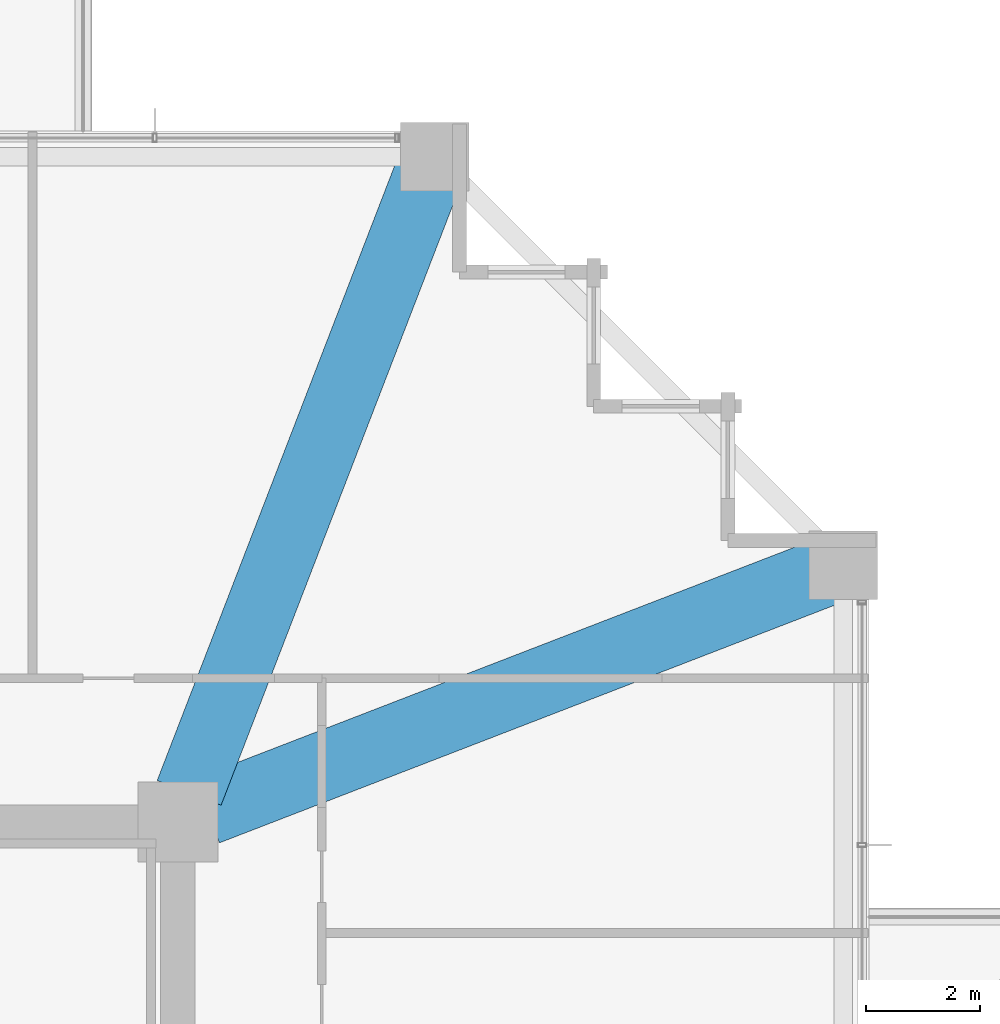
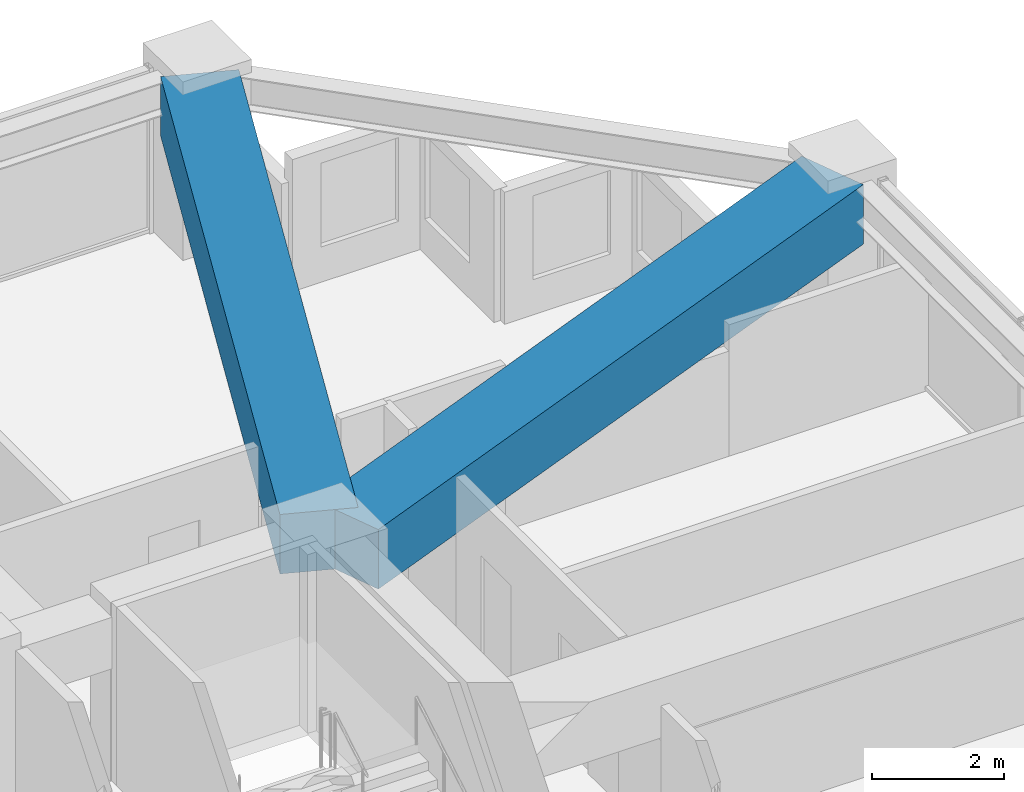
# One storey, part 24 of 39: 2 beams.
"""IFC4 building model written with IfcOpenShell, lengths in metres."""

import ifcopenshell
import ifcopenshell.guid

model = None  # the IFC model being written
_history = None  # IfcOwnerHistory: only IFC2X3 demands one
_inside = {}  # id of a spatial element -> (the spatial element, [elements in it])
_under = {}  # id of a project, library or spatial element -> (it, [spatial elements below it])
_declared = {}  # id of a project -> (the project, [libraries it declares])
_typed = {}  # id of a type object -> (the type object, [elements of that type])
_made_of = {}  # id of a material, layer set ... -> (it, [elements and type objects made of it])


def new_model(schema):
    """Start an empty IFC model of exactly this schema.

    Asked for "IFC4X3", IfcOpenShell would pick the latest addendum, in which some entities
    have other attributes; the version numbers below select the first issue.
    IFC2X3 requires an IfcOwnerHistory on every rooted entity: one is made here for all.
    """
    global model, _history
    if schema == "IFC4X3":
        model = ifcopenshell.file(schema_version=(4, 3, 0, 0))
    else:
        model = ifcopenshell.file(schema=schema)
    _inside.clear()
    _under.clear()
    _declared.clear()
    _typed.clear()
    _made_of.clear()
    _history = None
    if model.schema == "IFC2X3":
        org = make("IfcOrganization", Name="unknown")
        user = make(
            "IfcPersonAndOrganization",
            ThePerson=make("IfcPerson", FamilyName="unknown"),
            TheOrganization=org,
        )
        app = make(
            "IfcApplication",
            ApplicationDeveloper=org,
            Version="unknown",
            ApplicationFullName="unknown",
            ApplicationIdentifier="unknown",
        )
        _history = make(
            "IfcOwnerHistory",
            OwningUser=user,
            OwningApplication=app,
            ChangeAction="ADDED",
            CreationDate=0,
        )
    return model


def make(cls, **values):
    """One entity of the class cls with the attributes given. An attribute that is None is left unset."""
    return model.create_entity(
        cls, **{name: value for name, value in values.items() if value is not None}
    )


def rooted(cls, **values):
    """An entity with a GlobalId (a new one), such as an element, a storey or a relation."""
    return make(cls, GlobalId=ifcopenshell.guid.new(), OwnerHistory=_history, **values)


def si_unit(unit_type, name, prefix=None):
    """IfcSIUnit, for example si_unit("LENGTHUNIT", "METRE", prefix="MILLI")."""
    return make("IfcSIUnit", UnitType=unit_type, Prefix=prefix, Name=name)


def assignment(units):
    """IfcUnitAssignment: the units of a project."""
    return None if units is None else make("IfcUnitAssignment", Units=units)


def point(xyz):
    """IfcCartesianPoint."""
    return None if xyz is None else make("IfcCartesianPoint", Coordinates=xyz)


def direction(xyz):
    """IfcDirection."""
    return None if xyz is None else make("IfcDirection", DirectionRatios=xyz)


def frame(location, z_axis=None, x_axis=None):
    """IfcAxis2Placement3D, a coordinate frame: its origin and axes. An axis left out is left unset."""
    return make(
        "IfcAxis2Placement3D",
        Location=point(location),
        Axis=direction(z_axis),
        RefDirection=direction(x_axis),
    )


def frame_2d(location, x_axis=None):
    """IfcAxis2Placement2D, a coordinate frame in the plane: its origin and x axis."""
    return make(
        "IfcAxis2Placement2D", Location=point(location), RefDirection=direction(x_axis)
    )


def origin():
    """The frame at (0, 0, 0) with its axes left unset."""
    return frame((0.0, 0.0, 0.0))


def origin_2d():
    """The frame at (0, 0) in the plane with its x axis left unset."""
    return frame_2d((0.0, 0.0))


def place(relative_to, where):
    """IfcLocalPlacement: puts the frame where relative to a parent placement (None: the world)."""
    return make(
        "IfcLocalPlacement", PlacementRelTo=relative_to, RelativePlacement=where
    )


def context(
    kind, dimensions, precision=None, world=None, true_north=None, identifier=None
):
    """IfcGeometricRepresentationContext, for example the 3D "Model" context."""
    return make(
        "IfcGeometricRepresentationContext",
        ContextIdentifier=identifier,
        ContextType=kind,
        CoordinateSpaceDimension=dimensions,
        Precision=precision,
        WorldCoordinateSystem=world,
        TrueNorth=true_north,
    )


def subcontext(parent, identifier, kind, view, scale=None):
    """IfcGeometricRepresentationSubContext, for example "Body" below "Model"."""
    return make(
        "IfcGeometricRepresentationSubContext",
        ContextIdentifier=identifier,
        ContextType=kind,
        ParentContext=parent,
        TargetScale=scale,
        TargetView=view,
    )


def project(units=None, contexts=None):
    """IfcProject with its units and contexts."""
    return rooted(
        "IfcProject",
        Name="project",
        RepresentationContexts=contexts,
        UnitsInContext=assignment(units),
    )


def spatial(cls, under=None, at=None, **own):
    """A site, building, storey or space (cls), placed at a placement, below another one or the project."""
    s = rooted(cls, ObjectPlacement=at, **own)
    if under is not None:
        _under.setdefault(under.id(), (under, []))[1].append(s)
    return s


def profile(cls, at=None, kind="AREA", **sizes):
    """A parametric profile (cls). Its sizes go by their IFC names, for example OverallWidth=200.0."""
    return make(cls, ProfileType=kind, Position=at, **sizes)


def rectangle(**sizes):
    """IfcRectangleProfileDef."""
    return profile("IfcRectangleProfileDef", **sizes)


def extrude(swept, where, along, depth):
    """IfcExtrudedAreaSolid: the profile swept, set in the frame where, extruded along a direction by depth."""
    return make(
        "IfcExtrudedAreaSolid",
        SweptArea=swept,
        Position=where,
        ExtrudedDirection=direction(along),
        Depth=depth,
    )


def shape(context_of_items, identifier, shape_type, items):
    """IfcShapeRepresentation: the items that make up one representation, for example the "Body"."""
    return make(
        "IfcShapeRepresentation",
        ContextOfItems=context_of_items,
        RepresentationIdentifier=identifier,
        RepresentationType=shape_type,
        Items=items,
    )


def material(Name=None, Category=None):
    """IfcMaterial."""
    return make("IfcMaterial", Name=Name, Category=Category)


def material_profile(
    of_material, cross_section, Name=None, Category=None, Priority=None
):
    """IfcMaterialProfile: a cross section and its material."""
    return make(
        "IfcMaterialProfile",
        Name=Name,
        Material=of_material,
        Profile=cross_section,
        Priority=Priority,
        Category=Category,
    )


def profile_set(profiles, Name=None, composite=None):
    """IfcMaterialProfileSet."""
    return make(
        "IfcMaterialProfileSet",
        Name=Name,
        MaterialProfiles=profiles,
        CompositeProfile=composite,
    )


def made_of(thing, what):
    """Note that an element or type object is made of a material, layer set ...; save() writes the relation."""
    if what is not None:
        _made_of.setdefault(what.id(), (what, []))[1].append(thing)
    return thing


def type_object(cls, material=None, **own):
    """A type object (cls), such as IfcWallType, which elements share."""
    return made_of(rooted(cls, **own), material)


def element(
    cls,
    number,
    at=None,
    inside=None,
    cuts=None,
    type_object=None,
    material=None,
    context=None,
    identifier="Body",
    shape_type=None,
    held_by="IfcProductDefinitionShape",
    body=None,
    shapes=None,
    **own,
):
    """One element of the class cls, such as IfcWall. Its Tag is "e" and its number.

    at: its placement. inside: the storey or other place that contains it. cuts: it is an
    opening in that element (IfcRelVoidsElement). A single representation is given by context,
    identifier, shape_type and body (its items); several are given by shapes. held_by: the class
    of the entity that holds the representations. save() writes the other relations.
    """
    e = rooted(cls, Tag="e%d" % number, ObjectPlacement=at, **own)
    if body is not None:
        shapes = [shape(context, identifier, shape_type, body)]
    if shapes is not None:
        e.Representation = make(held_by, Representations=shapes)
    if inside is not None:
        _inside.setdefault(inside.id(), (inside, []))[1].append(e)
    if cuts is not None:
        rooted(
            "IfcRelVoidsElement", RelatingBuildingElement=cuts, RelatedOpeningElement=e
        )
    if type_object is not None:
        _typed.setdefault(type_object.id(), (type_object, []))[1].append(e)
    return made_of(e, material)


def aggregate(whole, parts):
    """IfcRelAggregates: a whole, such as a stair, and the parts it consists of."""
    return rooted("IfcRelAggregates", RelatingObject=whole, RelatedObjects=parts)


def save(model, path):
    """Write the relations noted so far, then the file.

    IfcRelAggregates (storeys below a building ...), IfcRelContainedInSpatialStructure (elements
    in a storey), IfcRelDefinesByType, IfcRelAssociatesMaterial and IfcRelDeclares: one each for
    every whole, place, type object, material and project.
    """
    for whole, parts in _under.values():
        aggregate(whole, parts)
    for where, things in _inside.values():
        rooted(
            "IfcRelContainedInSpatialStructure",
            RelatedElements=things,
            RelatingStructure=where,
        )
    for kind, things in _typed.values():
        rooted("IfcRelDefinesByType", RelatedObjects=things, RelatingType=kind)
    for what, things in _made_of.values():
        rooted("IfcRelAssociatesMaterial", RelatedObjects=things, RelatingMaterial=what)
    for by, libraries in _declared.values():
        rooted("IfcRelDeclares", RelatingContext=by, RelatedDefinitions=libraries)
    model.write(path)


model = new_model("IFC4")

# Units and contexts
model_context = context("Model", 3, precision=1e-05, world=origin(), true_north=direction((0.0, 1.0)))
body_context = subcontext(model_context, "Body", "Model", "MODEL_VIEW")
ifc_project = project(units=[si_unit("LENGTHUNIT", "METRE"), si_unit("AREAUNIT", "SQUARE_METRE"), si_unit("VOLUMEUNIT", "CUBIC_METRE"), si_unit("PLANEANGLEUNIT", "RADIAN"), si_unit("MASSUNIT", "GRAM", prefix="KILO")], contexts=[model_context])

# Site, building, storey
site_placement = place(None, origin())
site = spatial("IfcSite", under=ifc_project, at=site_placement, CompositionType="ELEMENT")
building_placement = place(site_placement, origin())
building = spatial("IfcBuilding", under=site, at=building_placement, Name="Kolvaren Belvedere", CompositionType="ELEMENT")
storey_placement = place(building_placement, frame((0.0, 0.0, 33.699951171875)))
storey = spatial("IfcBuildingStorey", under=building, at=storey_placement, Name="L09", CompositionType="ELEMENT", Elevation=33.699951171875)

# Beams
ifc_material = material(Name="Concrete C50/60", Category="concrete")
ifc_material_profile = material_profile(ifc_material, rectangle(XDim=1.199951171875, YDim=1.10009765625, at=origin_2d()), Name="RC 1200X1100")
ifc_profile_set = profile_set([ifc_material_profile], Name="Concrete C50/60")
beam_type = type_object("IfcBeamType", Name="BM-TG-1100", PredefinedType="BEAM", material=ifc_profile_set)
for number, where, z_axis, x_axis, name in (
    (1, (10.09814453125, 10.4130859375, 2.510009765625), (0.360318391835, 0.932829382313, 0.0), (-0.932829382313, 0.360318391835, 0.0), "L09 Corner Core-to-Perimeter Girder CC3-N4"),
    (2, (10.4130859375, 10.09814453125, 2.510009765625), (0.932829382313, 0.360318391835, 0.0), (-0.360318391835, 0.932829382313, 0.0), "L09 Corner Core-to-Perimeter Girder CC3-E4"),
):
    element("IfcBeam", number, at=place(storey_placement, frame(where, z_axis=z_axis, x_axis=x_axis)), inside=storey, type_object=beam_type, Name=name, PredefinedType="BEAM", context=body_context, shape_type="SweptSolid", body=[
        extrude(rectangle(XDim=1.199951171875, YDim=1.10009765625, at=origin_2d()), origin(), (0.0, 0.0, 1.0), 11.698974609375),
    ])

save(model, "model.ifc")
